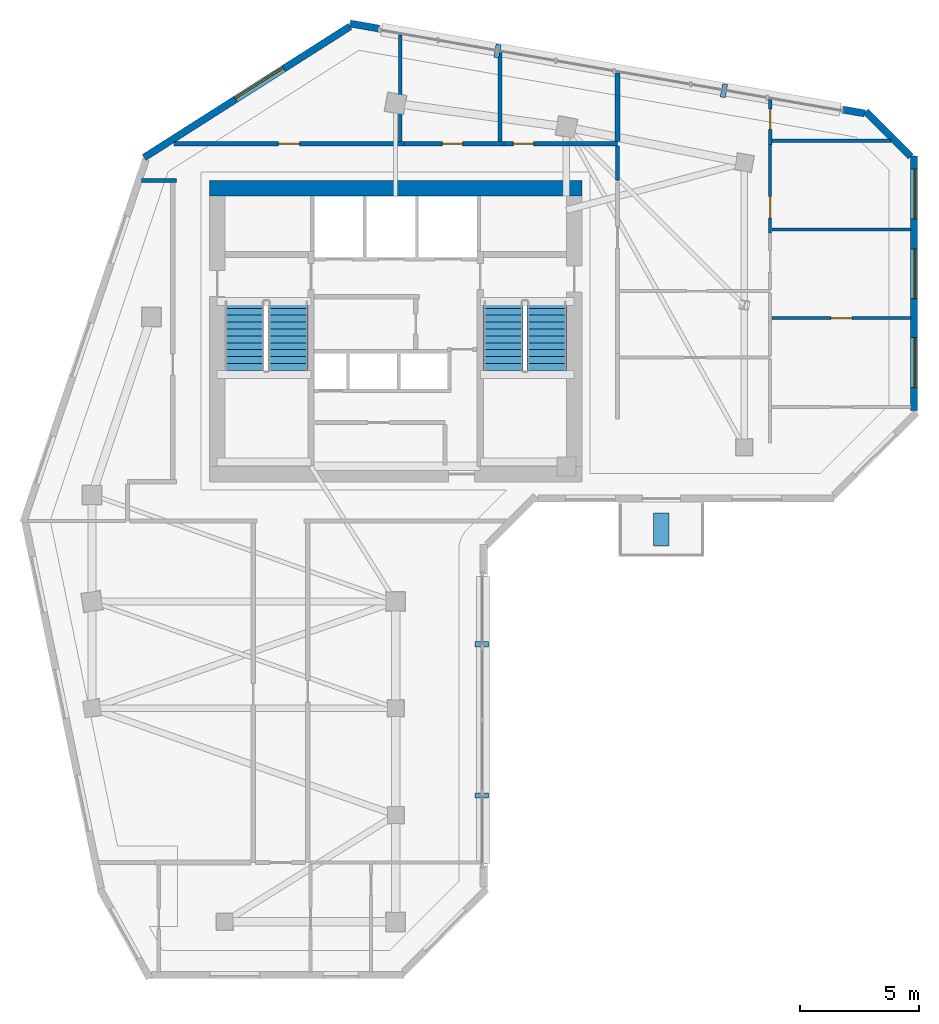
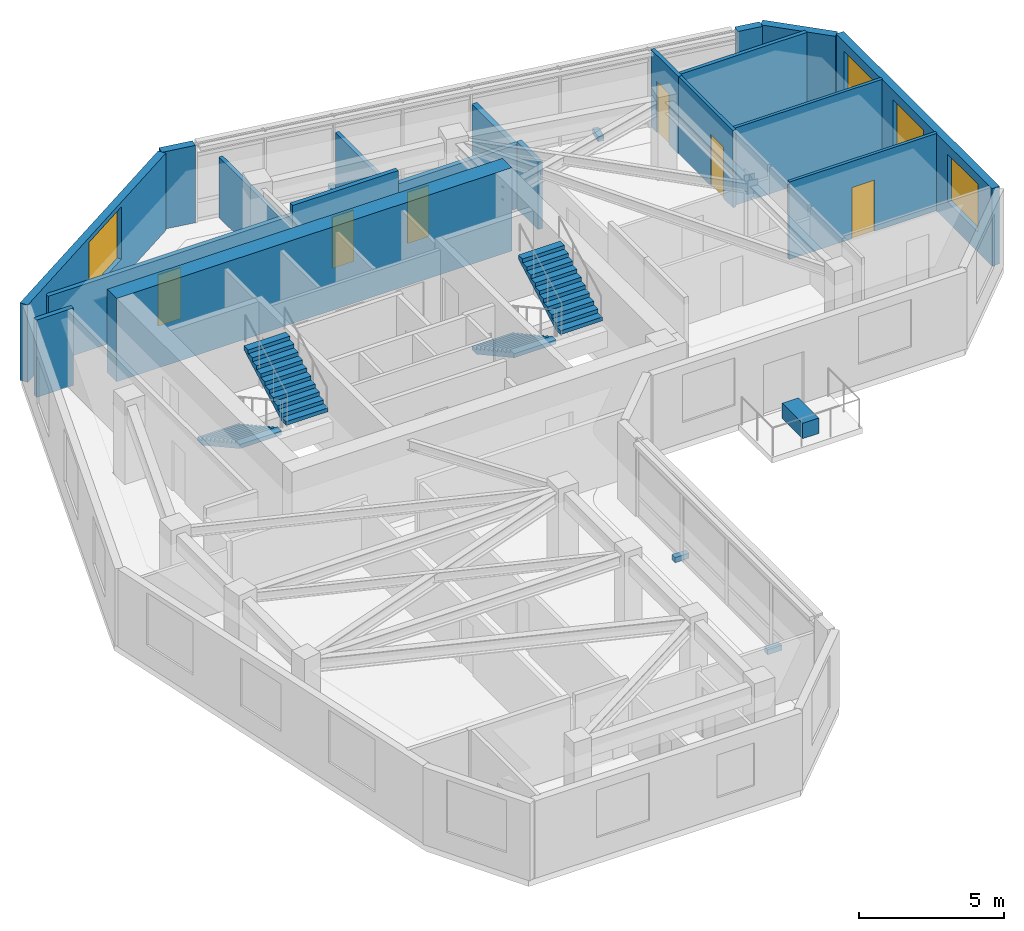
# One storey, part 6 of 9: 19 walls, 6 doors, 5 discrete accessories, 4 stair flights, 4 windows, 10 openings, 2 elements without a shape of their own.
"""IFC4 building model written with IfcOpenShell, lengths in metres."""

import ifcopenshell
import ifcopenshell.guid

model = None  # the IFC model being written
_history = None  # IfcOwnerHistory: only IFC2X3 demands one
_inside = {}  # id of a spatial element -> (the spatial element, [elements in it])
_under = {}  # id of a project, library or spatial element -> (it, [spatial elements below it])
_declared = {}  # id of a project -> (the project, [libraries it declares])
_typed = {}  # id of a type object -> (the type object, [elements of that type])
_made_of = {}  # id of a material, layer set ... -> (it, [elements and type objects made of it])


def new_model(schema):
    """Start an empty IFC model of exactly this schema.

    Asked for "IFC4X3", IfcOpenShell would pick the latest addendum, in which some entities
    have other attributes; the version numbers below select the first issue.
    IFC2X3 requires an IfcOwnerHistory on every rooted entity: one is made here for all.
    """
    global model, _history
    if schema == "IFC4X3":
        model = ifcopenshell.file(schema_version=(4, 3, 0, 0))
    else:
        model = ifcopenshell.file(schema=schema)
    _inside.clear()
    _under.clear()
    _declared.clear()
    _typed.clear()
    _made_of.clear()
    _history = None
    if model.schema == "IFC2X3":
        org = make("IfcOrganization", Name="unknown")
        user = make(
            "IfcPersonAndOrganization",
            ThePerson=make("IfcPerson", FamilyName="unknown"),
            TheOrganization=org,
        )
        app = make(
            "IfcApplication",
            ApplicationDeveloper=org,
            Version="unknown",
            ApplicationFullName="unknown",
            ApplicationIdentifier="unknown",
        )
        _history = make(
            "IfcOwnerHistory",
            OwningUser=user,
            OwningApplication=app,
            ChangeAction="ADDED",
            CreationDate=0,
        )
    return model


def make(cls, **values):
    """One entity of the class cls with the attributes given. An attribute that is None is left unset."""
    return model.create_entity(
        cls, **{name: value for name, value in values.items() if value is not None}
    )


def rooted(cls, **values):
    """An entity with a GlobalId (a new one), such as an element, a storey or a relation."""
    return make(cls, GlobalId=ifcopenshell.guid.new(), OwnerHistory=_history, **values)


def si_unit(unit_type, name, prefix=None):
    """IfcSIUnit, for example si_unit("LENGTHUNIT", "METRE", prefix="MILLI")."""
    return make("IfcSIUnit", UnitType=unit_type, Prefix=prefix, Name=name)


def assignment(units):
    """IfcUnitAssignment: the units of a project."""
    return None if units is None else make("IfcUnitAssignment", Units=units)


def point(xyz):
    """IfcCartesianPoint."""
    return None if xyz is None else make("IfcCartesianPoint", Coordinates=xyz)


def direction(xyz):
    """IfcDirection."""
    return None if xyz is None else make("IfcDirection", DirectionRatios=xyz)


def frame(location, z_axis=None, x_axis=None):
    """IfcAxis2Placement3D, a coordinate frame: its origin and axes. An axis left out is left unset."""
    return make(
        "IfcAxis2Placement3D",
        Location=point(location),
        Axis=direction(z_axis),
        RefDirection=direction(x_axis),
    )


def frame_2d(location, x_axis=None):
    """IfcAxis2Placement2D, a coordinate frame in the plane: its origin and x axis."""
    return make(
        "IfcAxis2Placement2D", Location=point(location), RefDirection=direction(x_axis)
    )


def origin():
    """The frame at (0, 0, 0) with its axes left unset."""
    return frame((0.0, 0.0, 0.0))


def origin_2d():
    """The frame at (0, 0) in the plane with its x axis left unset."""
    return frame_2d((0.0, 0.0))


def place(relative_to, where):
    """IfcLocalPlacement: puts the frame where relative to a parent placement (None: the world)."""
    return make(
        "IfcLocalPlacement", PlacementRelTo=relative_to, RelativePlacement=where
    )


def context(
    kind, dimensions, precision=None, world=None, true_north=None, identifier=None
):
    """IfcGeometricRepresentationContext, for example the 3D "Model" context."""
    return make(
        "IfcGeometricRepresentationContext",
        ContextIdentifier=identifier,
        ContextType=kind,
        CoordinateSpaceDimension=dimensions,
        Precision=precision,
        WorldCoordinateSystem=world,
        TrueNorth=true_north,
    )


def subcontext(parent, identifier, kind, view, scale=None):
    """IfcGeometricRepresentationSubContext, for example "Body" below "Model"."""
    return make(
        "IfcGeometricRepresentationSubContext",
        ContextIdentifier=identifier,
        ContextType=kind,
        ParentContext=parent,
        TargetScale=scale,
        TargetView=view,
    )


def project(units=None, contexts=None):
    """IfcProject with its units and contexts."""
    return rooted(
        "IfcProject",
        Name="project",
        RepresentationContexts=contexts,
        UnitsInContext=assignment(units),
    )


def spatial(cls, under=None, at=None, **own):
    """A site, building, storey or space (cls), placed at a placement, below another one or the project."""
    s = rooted(cls, ObjectPlacement=at, **own)
    if under is not None:
        _under.setdefault(under.id(), (under, []))[1].append(s)
    return s


def polyline(points):
    """IfcPolyline through the points."""
    return make("IfcPolyline", Points=[point(p) for p in points])


def profile(cls, at=None, kind="AREA", **sizes):
    """A parametric profile (cls). Its sizes go by their IFC names, for example OverallWidth=200.0."""
    return make(cls, ProfileType=kind, Position=at, **sizes)


def rectangle(**sizes):
    """IfcRectangleProfileDef."""
    return profile("IfcRectangleProfileDef", **sizes)


def outline(outer, holes=None, kind="AREA"):
    """IfcArbitraryClosedProfileDef: a profile drawn as a closed curve; with holes, ...WithVoids."""
    if holes is None:
        return make("IfcArbitraryClosedProfileDef", ProfileType=kind, OuterCurve=outer)
    return make(
        "IfcArbitraryProfileDefWithVoids",
        ProfileType=kind,
        OuterCurve=outer,
        InnerCurves=holes,
    )


def extrude(swept, where, along, depth):
    """IfcExtrudedAreaSolid: the profile swept, set in the frame where, extruded along a direction by depth."""
    return make(
        "IfcExtrudedAreaSolid",
        SweptArea=swept,
        Position=where,
        ExtrudedDirection=direction(along),
        Depth=depth,
    )


def shape(context_of_items, identifier, shape_type, items):
    """IfcShapeRepresentation: the items that make up one representation, for example the "Body"."""
    return make(
        "IfcShapeRepresentation",
        ContextOfItems=context_of_items,
        RepresentationIdentifier=identifier,
        RepresentationType=shape_type,
        Items=items,
    )


def source(mapping_origin, context_of_items, identifier, shape_type, items):
    """IfcRepresentationMap: a shape defined once, which mapped items show again and again."""
    return make(
        "IfcRepresentationMap",
        MappingOrigin=mapping_origin,
        MappedRepresentation=shape(context_of_items, identifier, shape_type, items),
    )


def transform(
    local_origin,
    x_axis=None,
    y_axis=None,
    z_axis=None,
    scale=None,
    scale2=None,
    scale3=None,
    uniform=True,
):
    """IfcCartesianTransformationOperator3D, or its non-uniform kind. x_axis, y_axis, z_axis: its Axis1, 2, 3."""
    if uniform:
        return make(
            "IfcCartesianTransformationOperator3D",
            Axis1=direction(x_axis),
            Axis2=direction(y_axis),
            LocalOrigin=point(local_origin),
            Scale=scale,
            Axis3=direction(z_axis),
        )
    return make(
        "IfcCartesianTransformationOperator3DnonUniform",
        Axis1=direction(x_axis),
        Axis2=direction(y_axis),
        LocalOrigin=point(local_origin),
        Scale=scale,
        Axis3=direction(z_axis),
        Scale2=scale2,
        Scale3=scale3,
    )


def mapped(mapping_source, mapping_target):
    """IfcMappedItem: shows the shape of a source again, moved by a transform."""
    return make(
        "IfcMappedItem", MappingSource=mapping_source, MappingTarget=mapping_target
    )


def material(Name=None, Category=None):
    """IfcMaterial."""
    return make("IfcMaterial", Name=Name, Category=Category)


def layer(
    of_material, thickness, ventilated=None, Name=None, Category=None, Priority=None
):
    """IfcMaterialLayer: one layer of a wall or slab, of a material (None: an air gap)."""
    return make(
        "IfcMaterialLayer",
        Material=of_material,
        LayerThickness=thickness,
        IsVentilated=ventilated,
        Name=Name,
        Category=Category,
        Priority=Priority,
    )


def layer_set(layers, Name=None):
    """IfcMaterialLayerSet."""
    return make("IfcMaterialLayerSet", MaterialLayers=layers, LayerSetName=Name)


def made_of(thing, what):
    """Note that an element or type object is made of a material, layer set ...; save() writes the relation."""
    if what is not None:
        _made_of.setdefault(what.id(), (what, []))[1].append(thing)
    return thing


def type_object(cls, material=None, **own):
    """A type object (cls), such as IfcWallType, which elements share."""
    return made_of(rooted(cls, **own), material)


def element(
    cls,
    number,
    at=None,
    inside=None,
    cuts=None,
    type_object=None,
    material=None,
    context=None,
    identifier="Body",
    shape_type=None,
    held_by="IfcProductDefinitionShape",
    body=None,
    shapes=None,
    **own,
):
    """One element of the class cls, such as IfcWall. Its Tag is "e" and its number.

    at: its placement. inside: the storey or other place that contains it. cuts: it is an
    opening in that element (IfcRelVoidsElement). A single representation is given by context,
    identifier, shape_type and body (its items); several are given by shapes. held_by: the class
    of the entity that holds the representations. save() writes the other relations.
    """
    e = rooted(cls, Tag="e%d" % number, ObjectPlacement=at, **own)
    if body is not None:
        shapes = [shape(context, identifier, shape_type, body)]
    if shapes is not None:
        e.Representation = make(held_by, Representations=shapes)
    if inside is not None:
        _inside.setdefault(inside.id(), (inside, []))[1].append(e)
    if cuts is not None:
        rooted(
            "IfcRelVoidsElement", RelatingBuildingElement=cuts, RelatedOpeningElement=e
        )
    if type_object is not None:
        _typed.setdefault(type_object.id(), (type_object, []))[1].append(e)
    return made_of(e, material)


def fill(opening, filler):
    """IfcRelFillsElement: the door or window that sits in an opening."""
    return rooted(
        "IfcRelFillsElement",
        RelatingOpeningElement=opening,
        RelatedBuildingElement=filler,
    )


def aggregate(whole, parts):
    """IfcRelAggregates: a whole, such as a stair, and the parts it consists of."""
    return rooted("IfcRelAggregates", RelatingObject=whole, RelatedObjects=parts)


def save(model, path):
    """Write the relations noted so far, then the file.

    IfcRelAggregates (storeys below a building ...), IfcRelContainedInSpatialStructure (elements
    in a storey), IfcRelDefinesByType, IfcRelAssociatesMaterial and IfcRelDeclares: one each for
    every whole, place, type object, material and project.
    """
    for whole, parts in _under.values():
        aggregate(whole, parts)
    for where, things in _inside.values():
        rooted(
            "IfcRelContainedInSpatialStructure",
            RelatedElements=things,
            RelatingStructure=where,
        )
    for kind, things in _typed.values():
        rooted("IfcRelDefinesByType", RelatedObjects=things, RelatingType=kind)
    for what, things in _made_of.values():
        rooted("IfcRelAssociatesMaterial", RelatedObjects=things, RelatingMaterial=what)
    for by, libraries in _declared.values():
        rooted("IfcRelDeclares", RelatingContext=by, RelatedDefinitions=libraries)
    model.write(path)


model = new_model("IFC4")

# Units and contexts
model_context = context("Model", 3, precision=1e-05, world=origin(), true_north=direction((0.0, 1.0)))
body_context = subcontext(model_context, "Body", "Model", "MODEL_VIEW")
ifc_project = project(units=[si_unit("LENGTHUNIT", "METRE"), si_unit("AREAUNIT", "SQUARE_METRE"), si_unit("VOLUMEUNIT", "CUBIC_METRE"), si_unit("PLANEANGLEUNIT", "RADIAN"), si_unit("MASSUNIT", "GRAM", prefix="KILO")], contexts=[model_context])

# Site, building, storey
site_placement = place(None, origin())
site = spatial("IfcSite", under=ifc_project, at=site_placement, CompositionType="ELEMENT")
building_placement = place(site_placement, origin())
building = spatial("IfcBuilding", under=site, at=building_placement, Name="Calvemar Wedge Station Tower", CompositionType="ELEMENT")
storey_placement = place(building_placement, frame((0.0, 0.0, 225.39990234375)))
storey = spatial("IfcBuildingStorey", under=building, at=storey_placement, Name="L57", CompositionType="ELEMENT", Elevation=225.39990234375)

# Walls
ifc_material_1 = material(Name="Concrete C60", Category="concrete")
ifc_layer_1 = layer(ifc_material_1, 0.64990234375)
ifc_layer_set_1 = layer_set([ifc_layer_1], Name="Concrete C60")
wall_type_1 = type_object("IfcWallType", Name="SW-CORE-650", PredefinedType="SHEAR", material=ifc_layer_set_1)
wall_1_placement = place(storey_placement, frame((15.949951171875, 45.925048828125, 0.0), z_axis=(0.0, 0.0, 1.0), x_axis=(1.0, 0.0, 0.0)))
element("IfcWall", 1, at=wall_1_placement, inside=storey, type_object=wall_type_1, Name="Storey L57 Core Shear Wall N", PredefinedType="SHEAR", context=body_context, shape_type="SweptSolid", body=[
    extrude(rectangle(XDim=15.699951171875, YDim=0.64990234375, at=frame_2d((7.85009765625, 0.0))), origin(), (0.0, 0.0, 1.0), 3.5),
])
ifc_material_2 = material(Name="Double-stud fire-rated corridor partition")
ifc_layer_2 = layer(ifc_material_2, 0.179931640625)
ifc_layer_set_2 = layer_set([ifc_layer_2], Name="Double-stud fire-rated corridor partition")
wall_type_2 = type_object("IfcWallType", Name="W-CORR-180", PredefinedType="PARTITIONING", material=ifc_layer_set_2)
wall_2_placement = place(storey_placement, frame((14.56005859375, 46.25, 0.0), z_axis=(0.0, 0.0, 1.0), x_axis=(-1.0, 0.0, 0.0)))
element("IfcWall", 2, at=wall_2_placement, inside=storey, type_object=wall_type_2, Name="Storey L57 Interior Partition WL-L57-011", PredefinedType="PARTITIONING", context=body_context, shape_type="SweptSolid", body=[
    extrude(rectangle(XDim=1.46875, YDim=0.179931640625, at=frame_2d((0.734375, 0.0))), origin(), (0.0, 0.0, 1.0), 3.25),
])

# Wall, opening, door
wall_3_placement = place(storey_placement, frame((14.45263671875, 47.800048828125, 0.0), z_axis=(0.0, 0.0, 1.0), x_axis=(1.0, 0.0, 0.0)))
wall_3 = element("IfcWall", 3, at=wall_3_placement, inside=storey, type_object=wall_type_2, Name="Storey L57 Interior Partition WL-L57-012", PredefinedType="PARTITIONING", context=body_context, shape_type="SweptSolid", body=[
    extrude(rectangle(XDim=9.707275390625, YDim=0.179931640625, at=frame_2d((4.853515625, 0.0))), origin(), (0.0, 0.0, 1.0), 2.835205078125),
])
shared_shape_1 = source(origin(), body_context, "Body", "SweptSolid", [
    extrude(rectangle(XDim=0.89990234375, YDim=2.14990234375, at=frame_2d((0.449951171875, 1.074951171875))), frame((0.0, 0.10009765625, 0.0), z_axis=(0.0, -1.0, 0.0), x_axis=(1.0, 0.0, 0.0)), (0.0, 0.0, 1.0), 0.199951171875),
])
opening_1_placement = place(wall_3_placement, frame((4.40380859375, 0.0, 0.0)))
opening_1 = element("IfcOpeningElement", 4, at=opening_1_placement, cuts=wall_3, Name="Opening D-01", PredefinedType="OPENING", context=body_context, shape_type="MappedRepresentation", body=[
    mapped(shared_shape_1, transform((0.0, 0.0, 0.0), scale=1.0)),
])
ifc_material_3 = material(Name="Architectural hardwood acoustic swing door", Category="wood")
door_type_1 = type_object("IfcDoorType", Name="DR-INT-900", OperationType="NOTDEFINED", PredefinedType="DOOR", material=ifc_material_3)
shared_shape_2 = source(origin(), body_context, "Body", "SweptSolid", [
    extrude(rectangle(XDim=0.89990234375, YDim=2.14990234375, at=frame_2d((0.449951171875, 1.074951171875))), frame((0.0, 0.02490234375, 0.0), z_axis=(0.0, -1.0, 0.0), x_axis=(1.0, 0.0, 0.0)), (0.0, 0.0, 1.0), 0.050048828125),
])
door_1_placement = place(opening_1_placement, origin())
door_1 = element("IfcDoor", 5, at=door_1_placement, inside=storey, type_object=door_type_1, Name="L57 Cinema Club Room Door", OperationType="SINGLE_SWING_LEFT", OverallHeight=2.14990234375, OverallWidth=0.89990234375, PredefinedType="DOOR", context=body_context, shape_type="MappedRepresentation", body=[
    mapped(shared_shape_2, transform((0.0, 0.0, 0.0), scale=1.0)),
])
fill(opening_1, door_1)

wall_4_placement = place(storey_placement, frame((24.162109375, 47.800048828125, 0.0), z_axis=(0.0, 0.0, 1.0), x_axis=(1.0, 0.0, 0.0)))
wall_4 = element("IfcWall", 6, at=wall_4_placement, inside=storey, type_object=wall_type_2, Name="Storey L57 Interior Partition WL-L57-013", PredefinedType="PARTITIONING", context=body_context, shape_type="SweptSolid", body=[
    extrude(rectangle(XDim=4.197998046875, YDim=0.179931640625, at=frame_2d((2.09912109375, 0.0))), origin(), (0.0, 0.0, 1.0), 3.25),
])
shared_shape_3 = source(origin(), body_context, "Body", "SweptSolid", [
    extrude(rectangle(XDim=0.85009765625, YDim=2.14990234375, at=frame_2d((0.425048828125, 1.074951171875))), frame((0.0, 0.10009765625, 0.0), z_axis=(0.0, -1.0, 0.0), x_axis=(1.0, 0.0, 0.0)), (0.0, 0.0, 1.0), 0.199951171875),
])
opening_2_placement = place(wall_4_placement, frame((1.61328125, 0.0, 0.0)))
opening_2 = element("IfcOpeningElement", 7, at=opening_2_placement, cuts=wall_4, Name="Opening D-02", PredefinedType="OPENING", context=body_context, shape_type="MappedRepresentation", body=[
    mapped(shared_shape_3, transform((0.0, 0.0, 0.0), scale=1.0)),
])
ifc_material_4 = material(Name="Moisture-sealed bathroom hardwood swing door", Category="wood")
door_type_2 = type_object("IfcDoorType", Name="DR-WET-850", OperationType="NOTDEFINED", PredefinedType="DOOR", material=ifc_material_4)
shared_shape_4 = source(origin(), body_context, "Body", "SweptSolid", [
    extrude(rectangle(XDim=0.85009765625, YDim=2.14990234375, at=frame_2d((0.425048828125, 1.074951171875))), frame((0.0, 0.02490234375, 0.0), z_axis=(0.0, -1.0, 0.0), x_axis=(1.0, 0.0, 0.0)), (0.0, 0.0, 1.0), 0.050048828125),
])
door_2_placement = place(opening_2_placement, origin())
door_2 = element("IfcDoor", 8, at=door_2_placement, inside=storey, type_object=door_type_2, Name="L57 Accessible WC Door", OperationType="SINGLE_SWING_RIGHT", OverallHeight=2.14990234375, OverallWidth=0.85009765625, PredefinedType="DOOR", context=body_context, shape_type="MappedRepresentation", body=[
    mapped(shared_shape_4, transform((0.0, 0.0, 0.0), scale=1.0)),
])
fill(opening_2, door_2)

wall_5_placement = place(storey_placement, frame((28.362060546875, 47.800048828125, 0.0), z_axis=(0.0, 0.0, 1.0), x_axis=(1.0, 0.0, 0.0)))
wall_5 = element("IfcWall", 9, at=wall_5_placement, inside=storey, type_object=wall_type_2, Name="Storey L57 Interior Partition WL-L57-014", PredefinedType="PARTITIONING", context=body_context, shape_type="SweptSolid", body=[
    extrude(rectangle(XDim=4.787841796875, YDim=0.179931640625, at=frame_2d((2.39404296875, 0.0))), origin(), (0.0, 0.0, 1.0), 2.68798828125),
])
opening_3_placement = place(wall_5_placement, frame((0.400634765625, 0.0, 0.0)))
opening_3 = element("IfcOpeningElement", 10, at=opening_3_placement, cuts=wall_5, Name="Opening D-02", PredefinedType="OPENING", context=body_context, shape_type="MappedRepresentation", body=[
    mapped(shared_shape_3, transform((0.0, 0.0, 0.0), scale=1.0)),
])
door_3_placement = place(opening_3_placement, origin())
door_3 = element("IfcDoor", 11, at=door_3_placement, inside=storey, type_object=door_type_2, Name="L57 Storage Room Door", OperationType="SINGLE_SWING_LEFT", OverallHeight=2.14990234375, OverallWidth=0.85009765625, PredefinedType="DOOR", context=body_context, shape_type="MappedRepresentation", body=[
    mapped(shared_shape_4, transform((0.0, 0.0, 0.0), scale=1.0)),
])
fill(opening_3, door_3)

# Walls
wall_6_placement = place(storey_placement, frame((33.14990234375, 47.7060546875, 0.0), z_axis=(0.0, 0.0, 1.0), x_axis=(0.0, -1.0, 0.0)))
element("IfcWall", 12, at=wall_6_placement, inside=storey, type_object=wall_type_2, Name="Storey L57 Interior Partition WL-L57-015", PredefinedType="PARTITIONING", context=body_context, shape_type="SweptSolid", body=[
    extrude(rectangle(XDim=1.4560546875, YDim=0.179931640625, at=frame_2d((0.72802734375, 0.0))), origin(), (0.0, 0.0, 1.0), 2.835205078125),
])
ifc_material_5 = material(Name="Twin-stud fire-rated inter-tenancy wall")
ifc_layer_3 = layer(ifc_material_5, 0.199951171875)
ifc_layer_set_3 = layer_set([ifc_layer_3], Name="Twin-stud fire-rated inter-tenancy wall")
wall_type_3 = type_object("IfcWallType", Name="W-DEMISE-200", PredefinedType="PARTITIONING", material=ifc_layer_set_3)
wall_7_placement = place(storey_placement, frame((33.14990234375, 50.783203125, 0.0), z_axis=(0.0, 0.0, 1.0), x_axis=(0.0, -1.0, 0.0)))
element("IfcWall", 13, at=wall_7_placement, inside=storey, type_object=wall_type_3, Name="Storey L57 Interior Partition WL-L57-022", PredefinedType="PARTITIONING", context=body_context, shape_type="SweptSolid", body=[
    extrude(rectangle(XDim=2.88916015625, YDim=0.199951171875, at=frame_2d((1.444580078125, 0.0))), origin(), (0.0, 0.0, 1.0), 2.5419921875),
])

# Wall, openings, windows
ifc_material_6 = material(Name="Precast concrete C45", Category="concrete")
ifc_layer_4 = layer(ifc_material_6, 0.300048828125)
ifc_layer_set_4 = layer_set([ifc_layer_4], Name="Precast concrete C45")
wall_type_4 = type_object("IfcWallType", Name="W-EXT-GFRC-300", PredefinedType="SOLIDWALL", material=ifc_layer_set_4)
wall_8_placement = place(storey_placement, frame((45.64990234375, 36.54931640625, 0.0), z_axis=(0.0, 0.0, 1.0), x_axis=(0.0, 1.0, 0.0)))
wall_8 = element("IfcWall", 14, at=wall_8_placement, inside=storey, type_object=wall_type_4, Name="Storey L57 Bronze GFRC Exterior Wall 8", PredefinedType="SOLIDWALL", context=body_context, shape_type="SweptSolid", body=[
    extrude(rectangle(XDim=10.73046875, YDim=0.300048828125, at=frame_2d((5.365234375, 0.0))), origin(), (0.0, 0.0, 1.0), 3.25),
])
shared_shape_5 = source(origin(), body_context, "Body", "SweptSolid", [
    extrude(rectangle(XDim=2.10009765625, YDim=2.0, at=frame_2d((1.050048828125, 1.0))), frame((0.0, 0.16015625, 0.0), z_axis=(0.0, -1.0, 0.0), x_axis=(1.0, 0.0, 0.0)), (0.0, 0.0, 1.0), 0.320068359375),
])
opening_4_placement = place(wall_8_placement, frame((0.97412109375, 0.0, 0.85009765625)))
opening_4 = element("IfcOpeningElement", 15, at=opening_4_placement, cuts=wall_8, Name="Opening W4", PredefinedType="OPENING", context=body_context, shape_type="MappedRepresentation", body=[
    mapped(shared_shape_5, transform((0.0, 0.0, 0.0), scale=1.0)),
])
opening_5_placement = place(wall_8_placement, frame((4.718017578125, 0.0, 0.85009765625)))
opening_5 = element("IfcOpeningElement", 16, at=opening_5_placement, cuts=wall_8, Name="Opening W4", PredefinedType="OPENING", context=body_context, shape_type="MappedRepresentation", body=[
    mapped(shared_shape_5, transform((0.0, 0.0, 0.0), scale=1.0)),
])
opening_6_placement = place(wall_8_placement, frame((8.0849609375, 0.0, 0.85009765625)))
opening_6 = element("IfcOpeningElement", 17, at=opening_6_placement, cuts=wall_8, Name="Opening W4", PredefinedType="OPENING", context=body_context, shape_type="MappedRepresentation", body=[
    mapped(shared_shape_5, transform((0.0, 0.0, 0.0), scale=1.0)),
])
ifc_material_7 = material(Name="Low-E laminated insulated glass", Category="glass")
window_type_1 = type_object("IfcWindowType", Name="WIN-EXT-4", PartitioningType="SINGLE_PANEL", PredefinedType="WINDOW", material=ifc_material_7)
shared_shape_6 = source(origin(), body_context, "Body", "SweptSolid", [
    extrude(rectangle(XDim=2.10009765625, YDim=2.0, at=frame_2d((1.050048828125, 1.0))), frame((0.0, -0.014892578125, 0.0), z_axis=(0.0, -1.0, 0.0), x_axis=(1.0, 0.0, 0.0)), (0.0, 0.0, 1.0), 0.06005859375),
])
window_1_placement = place(opening_4_placement, origin())
window_1 = element("IfcWindow", 18, at=window_1_placement, inside=storey, type_object=window_type_1, Name="Storey L57 Recessed Window 8.1", OverallHeight=2.0, OverallWidth=2.10009765625, PartitioningType="SINGLE_PANEL", PredefinedType="WINDOW", context=body_context, shape_type="MappedRepresentation", body=[
    mapped(shared_shape_6, transform((0.0, 0.0, 0.0), scale=1.0)),
])
fill(opening_4, window_1)
window_2_placement = place(opening_5_placement, origin())
window_2 = element("IfcWindow", 19, at=window_2_placement, inside=storey, type_object=window_type_1, Name="Storey L57 Recessed Window 8.2", OverallHeight=2.0, OverallWidth=2.10009765625, PartitioningType="SINGLE_PANEL", PredefinedType="WINDOW", context=body_context, shape_type="MappedRepresentation", body=[
    mapped(shared_shape_6, transform((0.0, 0.0, 0.0), scale=1.0)),
])
fill(opening_5, window_2)
window_3_placement = place(opening_6_placement, origin())
window_3 = element("IfcWindow", 20, at=window_3_placement, inside=storey, type_object=window_type_1, Name="Storey L57 Recessed Window 8.3", OverallHeight=2.0, OverallWidth=2.10009765625, PartitioningType="SINGLE_PANEL", PredefinedType="WINDOW", context=body_context, shape_type="MappedRepresentation", body=[
    mapped(shared_shape_6, transform((0.0, 0.0, 0.0), scale=1.0)),
])
fill(opening_6, window_3)

# Walls
wall_9_placement = place(storey_placement, frame((45.511962890625, 47.267822265625, 0.0), z_axis=(0.0, 0.0, 1.0), x_axis=(-0.707106781187, 0.707106781187, 0.0)))
element("IfcWall", 21, at=wall_9_placement, inside=storey, type_object=wall_type_4, Name="Storey L57 Bronze GFRC Exterior Wall 9", PredefinedType="SOLIDWALL", context=body_context, shape_type="SweptSolid", body=[
    extrude(rectangle(XDim=2.673828125, YDim=0.300048828125, at=frame_2d((1.3369140625, 0.0))), origin(), (0.0, 0.0, 1.0), 3.25),
])
wall_10_placement = place(storey_placement, frame((43.561279296875, 49.081298828125, 0.0), z_axis=(0.0, 0.0, 1.0), x_axis=(-0.985063518612, 0.172191359539, 0.0)))
element("IfcWall", 22, at=wall_10_placement, inside=storey, type_object=wall_type_4, Name="Storey L57 Bronze GFRC Corner Pier 10A", PredefinedType="SOLIDWALL", context=body_context, shape_type="SweptSolid", body=[
    extrude(rectangle(XDim=0.908935546875, YDim=0.300048828125, at=frame_2d((0.45458984375, 0.0))), origin(), (0.0, 0.0, 1.0), 3.25),
])
wall_11_placement = place(storey_placement, frame((23.093017578125, 52.65673828125, 0.0), z_axis=(0.0, 0.0, 1.0), x_axis=(-0.985090351288, 0.172037785961, 0.0)))
element("IfcWall", 23, at=wall_11_placement, inside=storey, type_object=wall_type_4, Name="Storey L57 Bronze GFRC Corner Pier 10B", PredefinedType="SOLIDWALL", context=body_context, shape_type="SweptSolid", body=[
    extrude(rectangle(XDim=1.2275390625, YDim=0.300048828125, at=frame_2d((0.61376953125, 0.0))), origin(), (0.0, 0.0, 1.0), 3.25),
])

# Wall, opening, window
wall_12_placement = place(storey_placement, frame((21.873779296875, 52.741943359375, 0.0), z_axis=(0.0, 0.0, 1.0), x_axis=(-0.84365659959, -0.536883173482, 0.0)))
wall_12 = element("IfcWall", 24, at=wall_12_placement, inside=storey, type_object=wall_type_4, Name="Storey L57 Bronze GFRC Exterior Wall 11", PredefinedType="SOLIDWALL", context=body_context, shape_type="SweptSolid", body=[
    extrude(rectangle(XDim=10.282958984375, YDim=0.300048828125, at=frame_2d((5.1416015625, 0.0))), origin(), (0.0, 0.0, 1.0), 3.25),
])
shared_shape_7 = source(origin(), body_context, "Body", "SweptSolid", [
    extrude(rectangle(XDim=2.39990234375, YDim=2.199951171875, at=frame_2d((1.199951171875, 1.10009765625))), frame((0.0, 0.16015625, 0.0), z_axis=(0.0, -1.0, 0.0), x_axis=(1.0, 0.0, 0.0)), (0.0, 0.0, 1.0), 0.320068359375),
])
opening_7_placement = place(wall_12_placement, frame((3.306884765625, 0.0, 0.85009765625)))
opening_7 = element("IfcOpeningElement", 25, at=opening_7_placement, cuts=wall_12, Name="Opening W1", PredefinedType="OPENING", context=body_context, shape_type="MappedRepresentation", body=[
    mapped(shared_shape_7, transform((0.0, 0.0, 0.0), scale=1.0)),
])
window_type_2 = type_object("IfcWindowType", Name="WIN-EXT-1", PartitioningType="SINGLE_PANEL", PredefinedType="WINDOW", material=ifc_material_7)
shared_shape_8 = source(origin(), body_context, "Body", "SweptSolid", [
    extrude(rectangle(XDim=2.39990234375, YDim=2.199951171875, at=frame_2d((1.199951171875, 1.10009765625))), frame((0.0, -0.014892578125, 0.0), z_axis=(0.0, -1.0, 0.0), x_axis=(1.0, 0.0, 0.0)), (0.0, 0.0, 1.0), 0.06005859375),
])
window_4_placement = place(opening_7_placement, origin())
window_4 = element("IfcWindow", 26, at=window_4_placement, inside=storey, type_object=window_type_2, Name="Storey L57 Recessed Window 11.1", OverallHeight=2.199951171875, OverallWidth=2.39990234375, PartitioningType="SINGLE_PANEL", PredefinedType="WINDOW", context=body_context, shape_type="MappedRepresentation", body=[
    mapped(shared_shape_8, transform((0.0, 0.0, 0.0), scale=1.0)),
])
fill(opening_7, window_4)

# Wall, opening, door
ifc_material_8 = material(Name="Insulated acoustic gypsum stud partition")
ifc_layer_5 = layer(ifc_material_8, 0.125)
ifc_layer_set_5 = layer_set([ifc_layer_5], Name="Insulated acoustic gypsum stud partition")
wall_type_5 = type_object("IfcWallType", Name="W-PART-125", PredefinedType="PARTITIONING", material=ifc_layer_set_5)
wall_13_placement = place(storey_placement, frame((39.590087890625, 47.77099609375, 0.0), z_axis=(0.0, 0.0, 1.0), x_axis=(0.0, -1.0, 0.0)))
wall_13 = element("IfcWall", 27, at=wall_13_placement, inside=storey, type_object=wall_type_5, Name="Storey L57 Interior Partition WL-L57-028", PredefinedType="PARTITIONING", context=body_context, shape_type="SweptSolid", body=[
    extrude(rectangle(XDim=3.741943359375, YDim=0.125, at=frame_2d((1.87109375, 0.0))), origin(), (0.0, 0.0, 1.0), 3.25),
])
shared_shape_9 = source(origin(), body_context, "Body", "SweptSolid", [
    extrude(rectangle(XDim=0.89990234375, YDim=2.14990234375, at=frame_2d((0.449951171875, 1.074951171875))), frame((0.0, 0.072509765625, 0.0), z_axis=(0.0, -1.0, 0.0), x_axis=(1.0, 0.0, 0.0)), (0.0, 0.0, 1.0), 0.14501953125),
])
opening_8_placement = place(wall_13_placement, frame((2.20166015625, 0.0, 0.0)))
opening_8 = element("IfcOpeningElement", 28, at=opening_8_placement, cuts=wall_13, Name="Opening D-01", PredefinedType="OPENING", context=body_context, shape_type="MappedRepresentation", body=[
    mapped(shared_shape_9, transform((0.0, 0.0, 0.0), scale=1.0)),
])
door_4_placement = place(opening_8_placement, origin())
door_4 = element("IfcDoor", 29, at=door_4_placement, inside=storey, type_object=door_type_1, Name="L57 Master Bedroom Door", OperationType="SINGLE_SWING_RIGHT", OverallHeight=2.14990234375, OverallWidth=0.89990234375, PredefinedType="DOOR", context=body_context, shape_type="MappedRepresentation", body=[
    mapped(shared_shape_2, transform((0.0, 0.0, 0.0), scale=1.0)),
])
fill(opening_8, door_4)

# Wall
wall_14_placement = place(storey_placement, frame((45.534912109375, 44.18896484375, 0.0), z_axis=(0.0, 0.0, 1.0), x_axis=(-1.0, 0.0, 0.0)))
element("IfcWall", 30, at=wall_14_placement, inside=storey, type_object=wall_type_5, Name="Storey L57 Interior Partition WL-L57-033", PredefinedType="PARTITIONING", context=body_context, shape_type="SweptSolid", body=[
    extrude(rectangle(XDim=5.87841796875, YDim=0.125, at=frame_2d((2.939208984375, 0.0))), origin(), (0.0, 0.0, 1.0), 3.25),
])

# Wall, opening, door
wall_15_placement = place(storey_placement, frame((45.534912109375, 40.445068359375, 0.0), z_axis=(0.0, 0.0, 1.0), x_axis=(-1.0, 0.0, 0.0)))
wall_15 = element("IfcWall", 31, at=wall_15_placement, inside=storey, type_object=wall_type_5, Name="Storey L57 Interior Partition WL-L57-034", PredefinedType="PARTITIONING", context=body_context, shape_type="SweptSolid", body=[
    extrude(rectangle(XDim=5.87841796875, YDim=0.125, at=frame_2d((2.939208984375, 0.0))), origin(), (0.0, 0.0, 1.0), 3.25),
])
opening_9_placement = place(wall_15_placement, frame((2.4892578125, 0.0, 0.0)))
opening_9 = element("IfcOpeningElement", 32, at=opening_9_placement, cuts=wall_15, Name="Opening D-01", PredefinedType="OPENING", context=body_context, shape_type="MappedRepresentation", body=[
    mapped(shared_shape_9, transform((0.0, 0.0, 0.0), scale=1.0)),
])
door_5_placement = place(opening_9_placement, origin())
door_5 = element("IfcDoor", 33, at=door_5_placement, inside=storey, type_object=door_type_1, Name="L57 Bedroom Door", OperationType="SINGLE_SWING_RIGHT", OverallHeight=2.14990234375, OverallWidth=0.89990234375, PredefinedType="DOOR", context=body_context, shape_type="MappedRepresentation", body=[
    mapped(shared_shape_2, transform((0.0, 0.0, 0.0), scale=1.0)),
])
fill(opening_9, door_5)

# Walls
ifc_material_9 = material(Name="Moisture-resistant acoustic bathroom partition")
ifc_layer_6 = layer(ifc_material_9, 0.14990234375)
ifc_layer_set_6 = layer_set([ifc_layer_6], Name="Moisture-resistant acoustic bathroom partition")
wall_type_6 = type_object("IfcWallType", Name="W-WET-150", PredefinedType="PARTITIONING", material=ifc_layer_set_6)
wall_16_placement = place(storey_placement, frame((24.0, 52.381591796875, 0.0), z_axis=(0.0, 0.0, 1.0), x_axis=(0.0, -1.0, 0.0)))
element("IfcWall", 34, at=wall_16_placement, inside=storey, type_object=wall_type_6, Name="Storey L57 Interior Partition WL-L57-020", PredefinedType="PARTITIONING", context=body_context, shape_type="SweptSolid", body=[
    extrude(rectangle(XDim=4.487548828125, YDim=0.14990234375, at=frame_2d((2.24365234375, 0.0))), origin(), (0.0, 0.0, 1.0), 2.5419921875),
])
wall_17_placement = place(storey_placement, frame((28.199951171875, 51.64794921875, 0.0), z_axis=(0.0, 0.0, 1.0), x_axis=(0.0, -1.0, 0.0)))
element("IfcWall", 35, at=wall_17_placement, inside=storey, type_object=wall_type_6, Name="Storey L57 Interior Partition WL-L57-021", PredefinedType="PARTITIONING", context=body_context, shape_type="SweptSolid", body=[
    extrude(rectangle(XDim=3.75390625, YDim=0.14990234375, at=frame_2d((1.876953125, 0.0))), origin(), (0.0, 0.0, 1.0), 2.5419921875),
])

# Wall, opening, door
wall_18_placement = place(storey_placement, frame((39.590087890625, 49.658447265625, 0.0), z_axis=(0.0, 0.0, 1.0), x_axis=(0.0, -1.0, 0.0)))
wall_18 = element("IfcWall", 36, at=wall_18_placement, inside=storey, type_object=wall_type_6, Name="Storey L57 Interior Partition WL-L57-027", PredefinedType="PARTITIONING", context=body_context, shape_type="SweptSolid", body=[
    extrude(rectangle(XDim=1.885498046875, YDim=0.14990234375, at=frame_2d((0.94287109375, 0.0))), origin(), (0.0, 0.0, 1.0), 3.25),
])
shared_shape_10 = source(origin(), body_context, "Body", "SweptSolid", [
    extrude(rectangle(XDim=0.85009765625, YDim=2.14990234375, at=frame_2d((0.425048828125, 1.074951171875))), frame((0.0, 0.0849609375, 0.0), z_axis=(0.0, -1.0, 0.0), x_axis=(1.0, 0.0, 0.0)), (0.0, 0.0, 1.0), 0.169921875),
])
opening_10_placement = place(wall_18_placement, frame((0.398681640625, 0.0, 0.0)))
opening_10 = element("IfcOpeningElement", 37, at=opening_10_placement, cuts=wall_18, Name="Opening D-02", PredefinedType="OPENING", context=body_context, shape_type="MappedRepresentation", body=[
    mapped(shared_shape_10, transform((0.0, 0.0, 0.0), scale=1.0)),
])
door_6_placement = place(opening_10_placement, origin())
door_6 = element("IfcDoor", 38, at=door_6_placement, inside=storey, type_object=door_type_2, Name="L57 Bathroom Door", OperationType="SINGLE_SWING_LEFT", OverallHeight=2.14990234375, OverallWidth=0.85009765625, PredefinedType="DOOR", context=body_context, shape_type="MappedRepresentation", body=[
    mapped(shared_shape_4, transform((0.0, 0.0, 0.0), scale=1.0)),
])
fill(opening_10, door_6)

# Wall
wall_19_placement = place(storey_placement, frame((44.68408203125, 47.93310546875, 0.0), z_axis=(0.0, 0.0, 1.0), x_axis=(-1.0, 0.0, 0.0)))
element("IfcWall", 39, at=wall_19_placement, inside=storey, type_object=wall_type_6, Name="Storey L57 Interior Partition WL-L57-032", PredefinedType="PARTITIONING", context=body_context, shape_type="SweptSolid", body=[
    extrude(rectangle(XDim=5.01513671875, YDim=0.14990234375, at=frame_2d((2.507568359375, 0.0))), origin(), (0.0, 0.0, 1.0), 3.25),
])

# Stair, stair flights
ifc_material_10 = material(Name="Concrete C45", Category="concrete")
stair_type = type_object("IfcStairType", Name="ST-TYPE-3500", PredefinedType="HALF_TURN_STAIR", material=ifc_material_10)
stair_1_placement = place(storey_placement, origin())
stair_1 = element("IfcStair", 40, at=stair_1_placement, inside=storey, type_object=stair_type, Name="L57 Pressurized Core Exit Stair ST-C1", PredefinedType="HALF_TURN_STAIR")
stair_flight_type = type_object("IfcStairFlightType", Name="STF-TYPE-3500", PredefinedType="STRAIGHT", material=ifc_material_10)
stair_flight_1_placement = place(storey_placement, frame((17.429931640625, 41.14990234375, 0.0), z_axis=(0.0, 0.0, 1.0), x_axis=(0.0, -1.0, 0.0)))
stair_flight_1 = element("IfcStairFlight", 41, at=stair_flight_1_placement, type_object=stair_flight_type, Name="ST-C1 flight 1", NumberOfRisers=11, NumberOfTreads=10, PredefinedType="STRAIGHT", RiserHeight=0.159090909, TreadLength=0.29, context=body_context, shape_type="SweptSolid", body=[
    extrude(outline(polyline([(0.0, 0.0), (0.0, 0.1591796875), (0.2900390625, 0.1591796875), (0.2900390625, 0.318115234375), (0.580078125, 0.318115234375), (0.580078125, 0.477294921875), (0.8701171875, 0.477294921875), (0.8701171875, 0.636474609375), (1.159912109375, 0.636474609375), (1.159912109375, 0.79541015625), (1.449951171875, 0.79541015625), (1.449951171875, 0.95458984375), (1.739990234375, 0.95458984375), (1.739990234375, 1.113525390625), (2.030029296875, 1.113525390625), (2.030029296875, 1.272705078125), (2.320068359375, 1.272705078125), (2.320068359375, 1.431884765625), (2.610107421875, 1.431884765625), (2.610107421875, 1.5908203125), (2.89990234375, 1.5908203125), (2.89990234375, 1.75), (2.89990234375, 1.419921875), (0.311767578125, 0.0), (0.0, 0.0)])), frame((0.0, 0.830078125, 0.0), z_axis=(0.0, -1.0, 0.0), x_axis=(1.0, 0.0, 0.0)), (0.0, 0.0, 1.0), 1.659912109375),
])
stair_flight_2_placement = place(storey_placement, frame((19.27001953125, 38.25, 1.75), z_axis=(0.0, 0.0, 1.0), x_axis=(0.0, 1.0, 0.0)))
stair_flight_2 = element("IfcStairFlight", 42, at=stair_flight_2_placement, type_object=stair_flight_type, Name="ST-C1 flight 2", NumberOfRisers=11, NumberOfTreads=10, PredefinedType="STRAIGHT", RiserHeight=0.159090909, TreadLength=0.29, context=body_context, shape_type="SweptSolid", body=[
    extrude(outline(polyline([(0.0, 0.0), (0.0, 0.1591796875), (0.2900390625, 0.1591796875), (0.2900390625, 0.318115234375), (0.580078125, 0.318115234375), (0.580078125, 0.477294921875), (0.8701171875, 0.477294921875), (0.8701171875, 0.636474609375), (1.159912109375, 0.636474609375), (1.159912109375, 0.79541015625), (1.449951171875, 0.79541015625), (1.449951171875, 0.95458984375), (1.739990234375, 0.95458984375), (1.739990234375, 1.113525390625), (2.030029296875, 1.113525390625), (2.030029296875, 1.272705078125), (2.320068359375, 1.272705078125), (2.320068359375, 1.431884765625), (2.610107421875, 1.431884765625), (2.610107421875, 1.5908203125), (2.89990234375, 1.5908203125), (2.89990234375, 1.75), (2.89990234375, 1.419921875), (0.311767578125, 0.0), (0.0, 0.0)])), frame((0.0, 0.830078125, 0.0), z_axis=(0.0, -1.0, 0.0), x_axis=(1.0, 0.0, 0.0)), (0.0, 0.0, 1.0), 1.659912109375),
])
aggregate(stair_1, [stair_flight_1, stair_flight_2])

stair_2_placement = place(storey_placement, origin())
stair_2 = element("IfcStair", 43, at=stair_2_placement, inside=storey, type_object=stair_type, Name="L57 Pressurized Core Exit Stair ST-C2", PredefinedType="HALF_TURN_STAIR")
stair_flight_3_placement = place(storey_placement, frame((28.330078125, 41.14990234375, 0.0), z_axis=(0.0, 0.0, 1.0), x_axis=(0.0, -1.0, 0.0)))
stair_flight_3 = element("IfcStairFlight", 44, at=stair_flight_3_placement, type_object=stair_flight_type, Name="ST-C2 flight 1", NumberOfRisers=11, NumberOfTreads=10, PredefinedType="STRAIGHT", RiserHeight=0.159090909, TreadLength=0.29, context=body_context, shape_type="SweptSolid", body=[
    extrude(outline(polyline([(0.0, 0.0), (0.0, 0.1591796875), (0.2900390625, 0.1591796875), (0.2900390625, 0.318115234375), (0.580078125, 0.318115234375), (0.580078125, 0.477294921875), (0.8701171875, 0.477294921875), (0.8701171875, 0.636474609375), (1.159912109375, 0.636474609375), (1.159912109375, 0.79541015625), (1.449951171875, 0.79541015625), (1.449951171875, 0.95458984375), (1.739990234375, 0.95458984375), (1.739990234375, 1.113525390625), (2.030029296875, 1.113525390625), (2.030029296875, 1.272705078125), (2.320068359375, 1.272705078125), (2.320068359375, 1.431884765625), (2.610107421875, 1.431884765625), (2.610107421875, 1.5908203125), (2.89990234375, 1.5908203125), (2.89990234375, 1.75), (2.89990234375, 1.419921875), (0.311767578125, 0.0), (0.0, 0.0)])), frame((0.0, 0.830078125, 0.0), z_axis=(0.0, -1.0, 0.0), x_axis=(1.0, 0.0, 0.0)), (0.0, 0.0, 1.0), 1.659912109375),
])
stair_flight_4_placement = place(storey_placement, frame((30.169921875, 38.25, 1.75), z_axis=(0.0, 0.0, 1.0), x_axis=(0.0, 1.0, 0.0)))
stair_flight_4 = element("IfcStairFlight", 45, at=stair_flight_4_placement, type_object=stair_flight_type, Name="ST-C2 flight 2", NumberOfRisers=11, NumberOfTreads=10, PredefinedType="STRAIGHT", RiserHeight=0.159090909, TreadLength=0.29, context=body_context, shape_type="SweptSolid", body=[
    extrude(outline(polyline([(0.0, 0.0), (0.0, 0.1591796875), (0.2900390625, 0.1591796875), (0.2900390625, 0.318115234375), (0.580078125, 0.318115234375), (0.580078125, 0.477294921875), (0.8701171875, 0.477294921875), (0.8701171875, 0.636474609375), (1.159912109375, 0.636474609375), (1.159912109375, 0.79541015625), (1.449951171875, 0.79541015625), (1.449951171875, 0.95458984375), (1.739990234375, 0.95458984375), (1.739990234375, 1.113525390625), (2.030029296875, 1.113525390625), (2.030029296875, 1.272705078125), (2.320068359375, 1.272705078125), (2.320068359375, 1.431884765625), (2.610107421875, 1.431884765625), (2.610107421875, 1.5908203125), (2.89990234375, 1.5908203125), (2.89990234375, 1.75), (2.89990234375, 1.419921875), (0.311767578125, 0.0), (0.0, 0.0)])), frame((0.0, 0.830078125, 0.0), z_axis=(0.0, -1.0, 0.0), x_axis=(1.0, 0.0, 0.0)), (0.0, 0.0, 1.0), 1.659912109375),
])
aggregate(stair_2, [stair_flight_3, stair_flight_4])

# Discrete accessories
ifc_material_11 = material(Name="Stainless steel AISI 316L", Category="steel")
discrete_accessory_type_1 = type_object("IfcDiscreteAccessoryType", Name="BRK-316L", PredefinedType="BRACKET", material=ifc_material_11)
shared_shape_11 = source(origin(), body_context, "Body", "SweptSolid", [
    extrude(rectangle(XDim=0.219970703125, YDim=0.56005859375, at=origin_2d()), origin(), (0.0, 0.0, 1.0), 0.219970703125),
])
for number, where, z_axis, x_axis, name in (
    (46, (27.43408203125, 20.31982421875, 0.0), (0.0, 0.0, 1.0), (0.0, 1.0, 0.0), "Storey L57 Recessed Facade Stainless Bracket 4.1"),
    (47, (27.43408203125, 26.6962890625, 0.0), (0.0, 0.0, 1.0), (0.0, 1.0, 0.0), "Storey L57 Recessed Facade Stainless Bracket 4.2"),
    (48, (37.638916015625, 50.03466796875, 0.0), (0.0, 0.0, 1.0), (-0.985079303862, 0.172101031672, 0.0), "Storey L57 Recessed Facade Stainless Bracket 10.1"),
    (49, (28.092529296875, 51.702392578125, 0.0), (0.0, 0.0, 1.0), (-0.985079303862, 0.172101031672, 0.0), "Storey L57 Recessed Facade Stainless Bracket 10.2"),
):
    element("IfcDiscreteAccessory", number, at=place(storey_placement, frame(where, z_axis=z_axis, x_axis=x_axis)), inside=storey, type_object=discrete_accessory_type_1, Name=name, PredefinedType="BRACKET", context=body_context, shape_type="MappedRepresentation", body=[
        mapped(shared_shape_11, transform((0.0, 0.0, 0.0), scale=1.0)),
    ])
discrete_accessory_type_2 = type_object("IfcDiscreteAccessoryType", Name="ACC-PLANTER", PredefinedType="USERDEFINED", material=ifc_material_6)
shared_shape_12 = source(origin(), body_context, "Body", "SweptSolid", [
    extrude(rectangle(XDim=0.64990234375, YDim=1.39990234375, at=origin_2d()), origin(), (0.0, 0.0, 1.0), 0.64990234375),
])
discrete_accessory_placement = place(storey_placement, frame((35.0, 31.5419921875, 0.000244140625), z_axis=(0.0, 0.0, 1.0), x_axis=(1.0, 0.0, 0.0)))
element("IfcDiscreteAccessory", 50, at=discrete_accessory_placement, inside=storey, type_object=discrete_accessory_type_2, Name="Storey L57 Planted Terrace GFRC Planter", ObjectType="PLANTER", PredefinedType="USERDEFINED", context=body_context, shape_type="MappedRepresentation", body=[
    mapped(shared_shape_12, transform((0.0, 0.0, 0.0), scale=1.0)),
])

save(model, "model.ifc")
